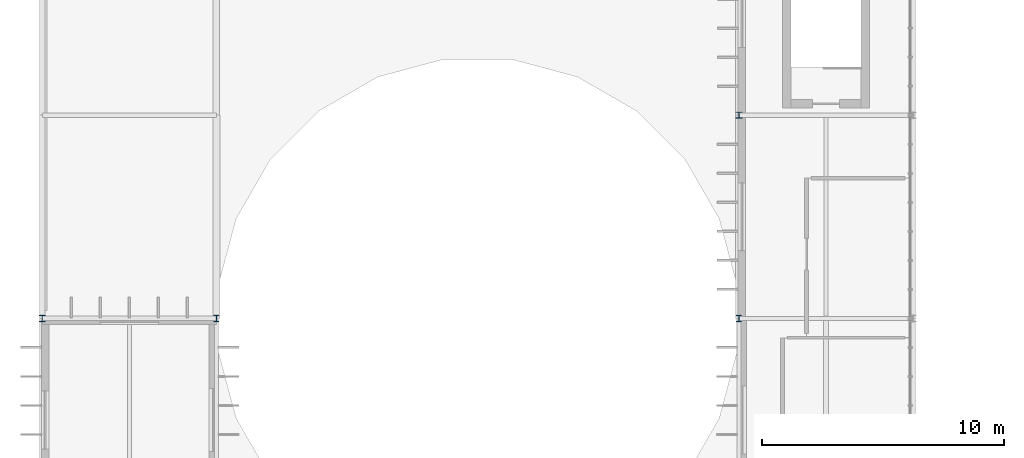
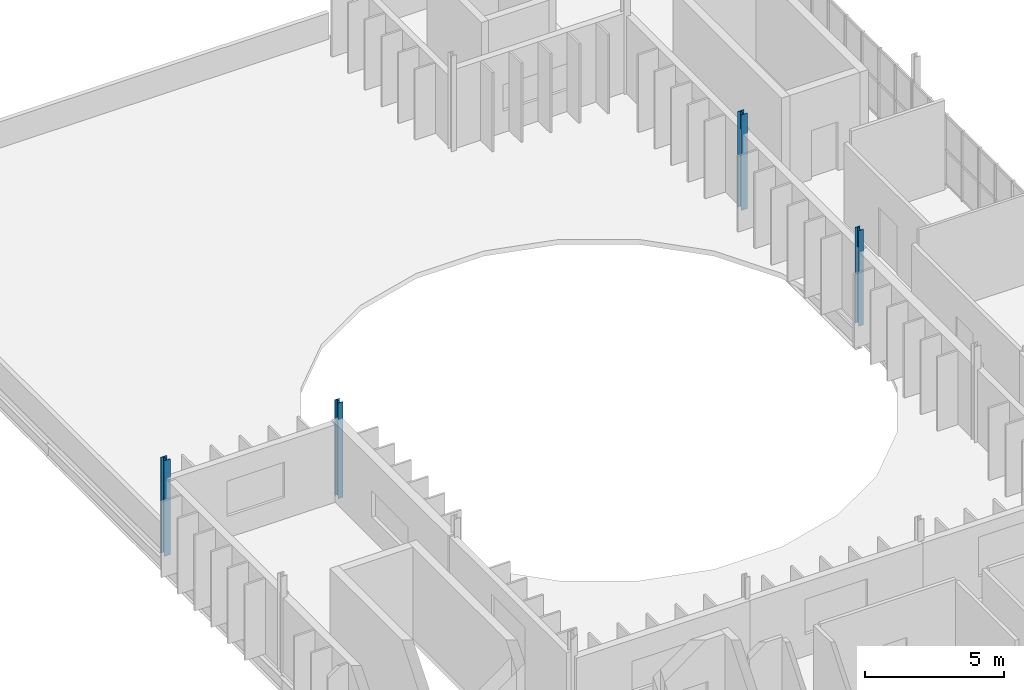
# One storey, part 4 of 18: 4 columns.
"""IFC4 building model written with IfcOpenShell, lengths in metres."""

from ifc_helpers import new_model, si_unit, direction, frame, origin, origin_2d, place, context, subcontext, project, spatial, i_section, extrude, material, material_profile, profile_set, type_object, element, save


model = new_model("IFC4")

# Units and contexts
model_context = context("Model", 3, precision=1e-05, world=origin(), true_north=direction((0.0, 1.0)))
body_context = subcontext(model_context, "Body", "Model", "MODEL_VIEW")
ifc_project = project(units=[si_unit("LENGTHUNIT", "METRE"), si_unit("AREAUNIT", "SQUARE_METRE"), si_unit("VOLUMEUNIT", "CUBIC_METRE"), si_unit("PLANEANGLEUNIT", "RADIAN"), si_unit("MASSUNIT", "GRAM", prefix="KILO")], contexts=[model_context])

# Site, building, storey
site_placement = place(None, origin())
site = spatial("IfcSite", under=ifc_project, at=site_placement, CompositionType="ELEMENT")
building_placement = place(site_placement, origin())
building = spatial("IfcBuilding", under=site, at=building_placement, Name="Qelthora Terrace Specialist Clinic", CompositionType="ELEMENT")
storey_placement = place(building_placement, frame((0.0, 0.0, 21.60009765625)))
storey = spatial("IfcBuildingStorey", under=building, at=storey_placement, Name="L05", CompositionType="ELEMENT", Elevation=21.60009765625)

# Columns
ifc_material = material(Name="Steel S355", Category="steel")
ifc_material_profile_1 = material_profile(ifc_material, i_section(OverallWidth=0.2041015625, OverallDepth=0.257080078125, WebThickness=0.0087890625, FlangeThickness=0.015625, FilletRadius=0.012939453125, at=origin_2d()), Name="W250X67")
ifc_profile_set_1 = profile_set([ifc_material_profile_1], Name="Steel S355")
column_type_1 = type_object("IfcColumnType", Name="COL-W250X67", PredefinedType="COLUMN", material=ifc_profile_set_1)
for number, where, z_axis, x_axis, name in (
    (1, (14.39990234375, 84.0, 0.0), (0.0, 0.0, 1.0), (1.0, 0.0, 0.0), "Column L05-039"),
    (2, (36.0, 84.0, 0.0), (0.0, 0.0, 1.0), (1.0, 0.0, 0.0), "Column L05-075"),
):
    element("IfcColumn", number, at=place(storey_placement, frame(where, z_axis=z_axis, x_axis=x_axis)), inside=storey, type_object=column_type_1, Name=name, PredefinedType="COLUMN", context=body_context, shape_type="SweptSolid", body=[
        extrude(i_section(OverallWidth=0.2041015625, OverallDepth=0.257080078125, WebThickness=0.0087890625, FlangeThickness=0.015625, FilletRadius=0.012939453125, at=origin_2d()), origin(), (0.0, 0.0, 1.0), 4.199951171875),
    ])
ifc_material_profile_2 = material_profile(ifc_material, i_section(OverallWidth=0.2548828125, OverallDepth=0.256103515625, WebThickness=0.009521484375, FlangeThickness=0.015625, FilletRadius=0.012939453125, at=origin_2d()), Name="W250X80")
ifc_profile_set_2 = profile_set([ifc_material_profile_2], Name="Steel S355")
column_type_2 = type_object("IfcColumnType", Name="COL-W250X80", PredefinedType="COLUMN", material=ifc_profile_set_2)
column_1_placement = place(storey_placement, frame((7.199951171875, 84.0, 0.0), z_axis=(0.0, 0.0, 1.0), x_axis=(1.0, 0.0, 0.0)))
element("IfcColumn", 3, at=column_1_placement, inside=storey, type_object=column_type_2, Name="Column L05-025", PredefinedType="COLUMN", context=body_context, shape_type="SweptSolid", body=[
    extrude(i_section(OverallWidth=0.2548828125, OverallDepth=0.256103515625, WebThickness=0.009521484375, FlangeThickness=0.015625, FilletRadius=0.012939453125, at=origin_2d()), origin(), (0.0, 0.0, 1.0), 4.199951171875),
])
ifc_material_profile_3 = material_profile(ifc_material, i_section(OverallWidth=0.256103515625, OverallDepth=0.260009765625, WebThickness=0.0107421875, FlangeThickness=0.017333984375, FilletRadius=0.012939453125, at=origin_2d()), Name="W250X89")
ifc_profile_set_3 = profile_set([ifc_material_profile_3], Name="Steel S355")
column_type_3 = type_object("IfcColumnType", Name="COL-W250X89", PredefinedType="COLUMN", material=ifc_profile_set_3)
column_2_placement = place(storey_placement, frame((36.0, 92.39990234375, 0.0), z_axis=(0.0, 0.0, 1.0), x_axis=(1.0, 0.0, 0.0)))
element("IfcColumn", 4, at=column_2_placement, inside=storey, type_object=column_type_3, Name="Column L05-076", PredefinedType="COLUMN", context=body_context, shape_type="SweptSolid", body=[
    extrude(i_section(OverallWidth=0.256103515625, OverallDepth=0.260009765625, WebThickness=0.0107421875, FlangeThickness=0.017333984375, FilletRadius=0.012939453125, at=origin_2d()), origin(), (0.0, 0.0, 1.0), 4.199951171875),
])

save(model, "model.ifc")
